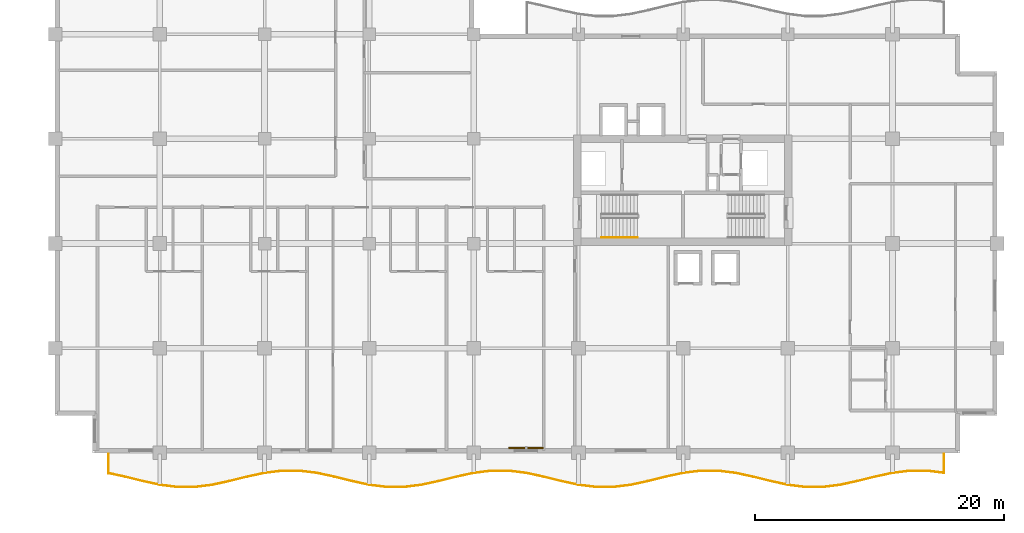
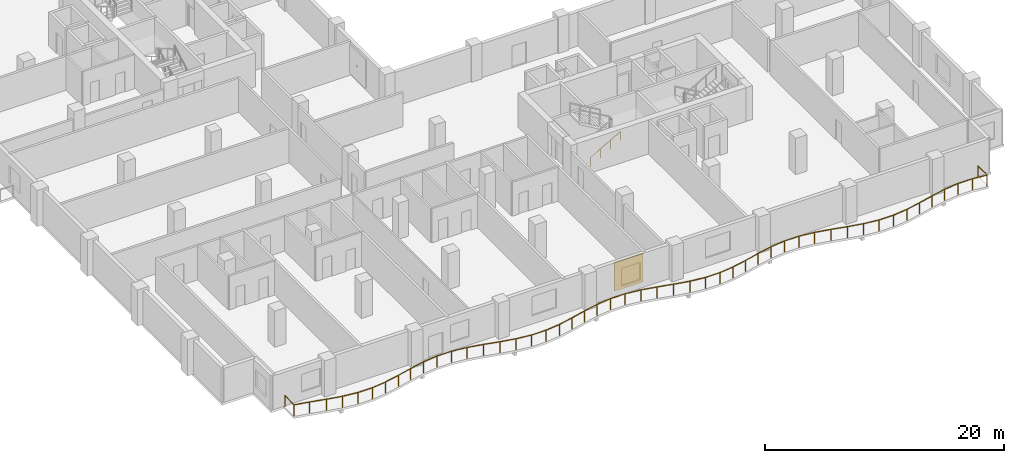
# One storey, part 11 of 14: 2 railings, 1 shading device.
"""IFC4 building model written with IfcOpenShell, lengths in metres."""

from ifc_helpers import new_model, si_unit, direction, frame, origin, origin_2d, place, context, subcontext, project, spatial, rectangle, circle, extrude, material, layer, layer_set, type_object, element, save


model = new_model("IFC4")

# Units and contexts
model_context = context("Model", 3, precision=1e-05, world=origin(), true_north=direction((0.0, 1.0)))
body_context = subcontext(model_context, "Body", "Model", "MODEL_VIEW")
ifc_project = project(units=[si_unit("LENGTHUNIT", "METRE"), si_unit("AREAUNIT", "SQUARE_METRE"), si_unit("VOLUMEUNIT", "CUBIC_METRE"), si_unit("PLANEANGLEUNIT", "RADIAN"), si_unit("MASSUNIT", "GRAM", prefix="KILO")], contexts=[model_context])

# Site, building, storey
site_placement = place(None, origin())
site = spatial("IfcSite", under=ifc_project, at=site_placement, CompositionType="ELEMENT")
building_placement = place(site_placement, origin())
building = spatial("IfcBuilding", under=site, at=building_placement, Name="Koriwani Terraces Tower", CompositionType="ELEMENT")
storey_placement = place(building_placement, frame((0.0, 0.0, 201.300048828125)))
storey = spatial("IfcBuildingStorey", under=building, at=storey_placement, Name="L49", CompositionType="ELEMENT", Elevation=201.300048828125)

# Railings
ifc_material_1 = material(Name="Steel ASTM A572 Grade 50", Category="steel")
railing_type_1 = type_object("IfcRailingType", Name="GUARD_BALUSTRADE_1150", PredefinedType="BALUSTRADE", material=ifc_material_1)
railing_1_placement = place(storey_placement, frame((4.280029296875, -0.080078125, 0.0)))
element("IfcRailing", 1, at=railing_1_placement, inside=storey, type_object=railing_type_1, Name="L49 Balcony Perimeter Safety Balustrade (S)", PredefinedType="BALUSTRADE", context=body_context, shape_type="SweptSolid", body=[
    extrude(circle(Radius=0.02392578125, at=origin_2d()), frame((0.0, 0.0, 1.1259765625), z_axis=(0.0, -1.0, 0.0), x_axis=(1.0, 0.0, 0.0)), (0.0, 0.0, 1.0), 1.552978515625),
    extrude(circle(Radius=0.02392578125, at=origin_2d()), frame((0.0, -1.552978515625, 1.1259765625), z_axis=(0.977417151998, -0.211318979222, 0.0), x_axis=(0.211318979222, 0.977417151998, 0.0)), (0.0, 0.0, 1.0), 1.369140625),
    extrude(circle(Radius=0.02392578125, at=origin_2d()), frame((1.338134765625, -1.84228515625, 1.1259765625), z_axis=(0.970241952903, -0.242137466795, 0.0), x_axis=(0.242137466795, 0.970241952903, 0.0)), (0.0, 0.0, 1.0), 1.44287109375),
    extrude(circle(Radius=0.02392578125, at=origin_2d()), frame((2.738037109375, -2.191650390625, 1.1259765625), z_axis=(0.977402706702, -0.211385782237, 0.0), x_axis=(0.211385782237, 0.977402706702, 0.0)), (0.0, 0.0, 1.0), 1.427490234375),
    extrude(circle(Radius=0.02392578125, at=origin_2d()), frame((4.13330078125, -2.493408203125, 1.1259765625), z_axis=(0.992309982997, -0.123777613669, 0.0), x_axis=(0.123777613669, 0.992309982997, 0.0)), (0.0, 0.0, 1.0), 1.40234375),
    extrude(circle(Radius=0.02392578125, at=origin_2d()), frame((5.52490234375, -2.6669921875, 1.1259765625), z_axis=(1.0, 0.0, 0.0), x_axis=(0.0, 1.0, 0.0)), (0.0, 0.0, 1.0), 1.39013671875),
    extrude(circle(Radius=0.02392578125, at=origin_2d()), frame((6.9150390625, -2.6669921875, 1.1259765625), z_axis=(0.992309982997, 0.123777613669, 0.0), x_axis=(-0.123777613669, 0.992309982997, 0.0)), (0.0, 0.0, 1.0), 1.40234375),
    extrude(circle(Radius=0.02392578125, at=origin_2d()), frame((8.306640625, -2.493408203125, 1.1259765625), z_axis=(0.977402706702, 0.211385782237, 0.0), x_axis=(-0.211385782237, 0.977402706702, 0.0)), (0.0, 0.0, 1.0), 1.427490234375),
    extrude(circle(Radius=0.02392578125, at=origin_2d()), frame((9.701904296875, -2.191650390625, 1.1259765625), z_axis=(0.970241952903, 0.242137466795, 0.0), x_axis=(-0.242137466795, 0.970241952903, 0.0)), (0.0, 0.0, 1.0), 1.44287109375),
    extrude(circle(Radius=0.02392578125, at=origin_2d()), frame((11.101806640625, -1.84228515625, 1.1259765625), z_axis=(0.977453031353, 0.21115295759, 0.0), x_axis=(-0.21115295759, 0.977453031353, 0.0)), (0.0, 0.0, 1.0), 1.437255859375),
    extrude(circle(Radius=0.02392578125, at=origin_2d()), frame((12.506591796875, -1.538818359375, 1.1259765625), z_axis=(0.992322798546, 0.123674829633, 0.0), x_axis=(-0.123674829633, 0.992322798546, 0.0)), (0.0, 0.0, 1.0), 1.41943359375),
    extrude(circle(Radius=0.02392578125, at=origin_2d()), frame((13.9150390625, -1.36328125, 1.1259765625), z_axis=(1.0, 0.0, 0.0), x_axis=(0.0, 1.0, 0.0)), (0.0, 0.0, 1.0), 1.409912109375),
    extrude(circle(Radius=0.02392578125, at=origin_2d()), frame((15.324951171875, -1.36328125, 1.1259765625), z_axis=(0.992322798546, -0.123674829633, 0.0), x_axis=(0.123674829633, 0.992322798546, 0.0)), (0.0, 0.0, 1.0), 1.41943359375),
    extrude(circle(Radius=0.02392578125, at=origin_2d()), frame((16.7333984375, -1.538818359375, 1.1259765625), z_axis=(0.977453031353, -0.21115295759, 0.0), x_axis=(0.21115295759, 0.977453031353, 0.0)), (0.0, 0.0, 1.0), 1.437255859375),
    extrude(circle(Radius=0.02392578125, at=origin_2d()), frame((18.13818359375, -1.84228515625, 1.1259765625), z_axis=(0.970241952903, -0.242137466795, 0.0), x_axis=(0.242137466795, 0.970241952903, 0.0)), (0.0, 0.0, 1.0), 1.44287109375),
    extrude(circle(Radius=0.02392578125, at=origin_2d()), frame((19.5380859375, -2.191650390625, 1.1259765625), z_axis=(0.977402706702, -0.211385782237, 0.0), x_axis=(0.211385782237, 0.977402706702, 0.0)), (0.0, 0.0, 1.0), 1.427490234375),
    extrude(circle(Radius=0.02392578125, at=origin_2d()), frame((20.933349609375, -2.493408203125, 1.1259765625), z_axis=(0.992309982997, -0.123777613669, 0.0), x_axis=(0.123777613669, 0.992309982997, 0.0)), (0.0, 0.0, 1.0), 1.40234375),
    extrude(circle(Radius=0.02392578125, at=origin_2d()), frame((22.324951171875, -2.6669921875, 1.1259765625), z_axis=(1.0, 0.0, 0.0), x_axis=(0.0, 1.0, 0.0)), (0.0, 0.0, 1.0), 1.39013671875),
    extrude(circle(Radius=0.02392578125, at=origin_2d()), frame((23.715087890625, -2.6669921875, 1.1259765625), z_axis=(0.992309982997, 0.123777613669, 0.0), x_axis=(-0.123777613669, 0.992309982997, 0.0)), (0.0, 0.0, 1.0), 1.40234375),
    extrude(circle(Radius=0.02392578125, at=origin_2d()), frame((25.106689453125, -2.493408203125, 1.1259765625), z_axis=(0.977402706702, 0.211385782237, 0.0), x_axis=(-0.211385782237, 0.977402706702, 0.0)), (0.0, 0.0, 1.0), 1.427490234375),
    extrude(circle(Radius=0.02392578125, at=origin_2d()), frame((26.501953125, -2.191650390625, 1.1259765625), z_axis=(0.970241952903, 0.242137466795, 0.0), x_axis=(-0.242137466795, 0.970241952903, 0.0)), (0.0, 0.0, 1.0), 1.44287109375),
    extrude(circle(Radius=0.02392578125, at=origin_2d()), frame((27.90185546875, -1.84228515625, 1.1259765625), z_axis=(0.977453031353, 0.21115295759, 0.0), x_axis=(-0.21115295759, 0.977453031353, 0.0)), (0.0, 0.0, 1.0), 1.437255859375),
    extrude(circle(Radius=0.02392578125, at=origin_2d()), frame((29.306640625, -1.538818359375, 1.1259765625), z_axis=(0.992322798546, 0.123674829633, 0.0), x_axis=(-0.123674829633, 0.992322798546, 0.0)), (0.0, 0.0, 1.0), 1.41943359375),
    extrude(circle(Radius=0.02392578125, at=origin_2d()), frame((30.715087890625, -1.36328125, 1.1259765625), z_axis=(1.0, 0.0, 0.0), x_axis=(0.0, 1.0, 0.0)), (0.0, 0.0, 1.0), 1.409912109375),
    extrude(circle(Radius=0.02392578125, at=origin_2d()), frame((32.125, -1.36328125, 1.1259765625), z_axis=(0.992322798546, -0.123674829633, 0.0), x_axis=(0.123674829633, 0.992322798546, 0.0)), (0.0, 0.0, 1.0), 1.41943359375),
    extrude(circle(Radius=0.02392578125, at=origin_2d()), frame((33.533447265625, -1.538818359375, 1.1259765625), z_axis=(0.977445455552, -0.211188023857, 0.0), x_axis=(0.211188023857, 0.977445455552, 0.0)), (0.0, 0.0, 1.0), 1.43701171875),
    extrude(circle(Radius=0.02392578125, at=origin_2d()), frame((34.93798828125, -1.84228515625, 1.1259765625), z_axis=(0.970251871253, -0.242097720621, 0.0), x_axis=(0.242097720621, 0.970251871253, 0.0)), (0.0, 0.0, 1.0), 1.443115234375),
    extrude(circle(Radius=0.02392578125, at=origin_2d()), frame((36.338134765625, -2.191650390625, 1.1259765625), z_axis=(0.977402706702, -0.211385782237, 0.0), x_axis=(0.211385782237, 0.977402706702, 0.0)), (0.0, 0.0, 1.0), 1.427490234375),
    extrude(circle(Radius=0.02392578125, at=origin_2d()), frame((37.7333984375, -2.493408203125, 1.1259765625), z_axis=(0.992309982997, -0.123777613669, 0.0), x_axis=(0.123777613669, 0.992309982997, 0.0)), (0.0, 0.0, 1.0), 1.40234375),
    extrude(circle(Radius=0.02392578125, at=origin_2d()), frame((39.125, -2.6669921875, 1.1259765625), z_axis=(1.0, 0.0, 0.0), x_axis=(0.0, 1.0, 0.0)), (0.0, 0.0, 1.0), 1.389892578125),
    extrude(circle(Radius=0.02392578125, at=origin_2d()), frame((40.514892578125, -2.6669921875, 1.1259765625), z_axis=(0.992309982997, 0.123777613669, 0.0), x_axis=(-0.123777613669, 0.992309982997, 0.0)), (0.0, 0.0, 1.0), 1.40234375),
    extrude(circle(Radius=0.02392578125, at=origin_2d()), frame((41.906494140625, -2.493408203125, 1.1259765625), z_axis=(0.977402706702, 0.211385782237, 0.0), x_axis=(-0.211385782237, 0.977402706702, 0.0)), (0.0, 0.0, 1.0), 1.427490234375),
    extrude(circle(Radius=0.02392578125, at=origin_2d()), frame((43.3017578125, -2.191650390625, 1.1259765625), z_axis=(0.970251871253, 0.242097720621, 0.0), x_axis=(-0.242097720621, 0.970251871253, 0.0)), (0.0, 0.0, 1.0), 1.443115234375),
    extrude(circle(Radius=0.02392578125, at=origin_2d()), frame((44.701904296875, -1.84228515625, 1.1259765625), z_axis=(0.977453031353, 0.21115295759, 0.0), x_axis=(-0.21115295759, 0.977453031353, 0.0)), (0.0, 0.0, 1.0), 1.437255859375),
    extrude(circle(Radius=0.02392578125, at=origin_2d()), frame((46.106689453125, -1.538818359375, 1.1259765625), z_axis=(0.992320166908, 0.123695943136, 0.0), x_axis=(-0.123695943136, 0.992320166908, 0.0)), (0.0, 0.0, 1.0), 1.419189453125),
    extrude(circle(Radius=0.02392578125, at=origin_2d()), frame((47.514892578125, -1.36328125, 1.1259765625), z_axis=(1.0, 0.0, 0.0), x_axis=(0.0, 1.0, 0.0)), (0.0, 0.0, 1.0), 1.41015625),
    extrude(circle(Radius=0.02392578125, at=origin_2d()), frame((48.925048828125, -1.36328125, 1.1259765625), z_axis=(0.992320166908, -0.123695943136, 0.0), x_axis=(0.123695943136, 0.992320166908, 0.0)), (0.0, 0.0, 1.0), 1.419189453125),
    extrude(circle(Radius=0.02392578125, at=origin_2d()), frame((50.333251953125, -1.538818359375, 1.1259765625), z_axis=(0.977453031353, -0.21115295759, 0.0), x_axis=(0.21115295759, 0.977453031353, 0.0)), (0.0, 0.0, 1.0), 1.437255859375),
    extrude(circle(Radius=0.02392578125, at=origin_2d()), frame((51.738037109375, -1.84228515625, 1.1259765625), z_axis=(0.970251871253, -0.242097720621, 0.0), x_axis=(0.242097720621, 0.970251871253, 0.0)), (0.0, 0.0, 1.0), 1.443115234375),
    extrude(circle(Radius=0.02392578125, at=origin_2d()), frame((53.13818359375, -2.191650390625, 1.1259765625), z_axis=(0.977402706702, -0.211385782237, 0.0), x_axis=(0.211385782237, 0.977402706702, 0.0)), (0.0, 0.0, 1.0), 1.427490234375),
    extrude(circle(Radius=0.02392578125, at=origin_2d()), frame((54.533447265625, -2.493408203125, 1.1259765625), z_axis=(0.992309982997, -0.123777613669, 0.0), x_axis=(0.123777613669, 0.992309982997, 0.0)), (0.0, 0.0, 1.0), 1.40234375),
    extrude(circle(Radius=0.02392578125, at=origin_2d()), frame((55.925048828125, -2.6669921875, 1.1259765625), z_axis=(1.0, 0.0, 0.0), x_axis=(0.0, 1.0, 0.0)), (0.0, 0.0, 1.0), 1.389892578125),
    extrude(circle(Radius=0.02392578125, at=origin_2d()), frame((57.31494140625, -2.6669921875, 1.1259765625), z_axis=(0.992309982997, 0.123777613669, 0.0), x_axis=(-0.123777613669, 0.992309982997, 0.0)), (0.0, 0.0, 1.0), 1.40234375),
    extrude(circle(Radius=0.02392578125, at=origin_2d()), frame((58.70654296875, -2.493408203125, 1.1259765625), z_axis=(0.977402706702, 0.211385782237, 0.0), x_axis=(-0.211385782237, 0.977402706702, 0.0)), (0.0, 0.0, 1.0), 1.427490234375),
    extrude(circle(Radius=0.02392578125, at=origin_2d()), frame((60.101806640625, -2.191650390625, 1.1259765625), z_axis=(0.970251871253, 0.242097720621, 0.0), x_axis=(-0.242097720621, 0.970251871253, 0.0)), (0.0, 0.0, 1.0), 1.443115234375),
    extrude(circle(Radius=0.02392578125, at=origin_2d()), frame((61.501953125, -1.84228515625, 1.1259765625), z_axis=(0.977445455552, 0.211188023857, 0.0), x_axis=(-0.211188023857, 0.977445455552, 0.0)), (0.0, 0.0, 1.0), 1.43701171875),
    extrude(circle(Radius=0.02392578125, at=origin_2d()), frame((62.906494140625, -1.538818359375, 1.1259765625), z_axis=(0.992322798546, 0.123674829633, 0.0), x_axis=(-0.123674829633, 0.992322798546, 0.0)), (0.0, 0.0, 1.0), 1.41943359375),
    extrude(circle(Radius=0.02392578125, at=origin_2d()), frame((64.31494140625, -1.36328125, 1.1259765625), z_axis=(1.0, 0.0, 0.0), x_axis=(0.0, 1.0, 0.0)), (0.0, 0.0, 1.0), 1.409912109375),
    extrude(circle(Radius=0.02392578125, at=origin_2d()), frame((65.724853515625, -1.36328125, 1.1259765625), z_axis=(0.992331628798, -0.123603958219, 0.0), x_axis=(0.123603958219, 0.992331628798, 0.0)), (0.0, 0.0, 1.0), 1.325439453125),
    extrude(circle(Radius=0.02392578125, at=origin_2d()), frame((67.0400390625, -1.527099609375, 1.1259765625), z_axis=(0.0, 1.0, 0.0), x_axis=(-1.0, 0.0, 0.0)), (0.0, 0.0, 1.0), 1.527099609375),
    extrude(circle(Radius=0.02099609375, at=origin_2d()), origin(), (0.0, 0.0, 1.0), 1.101806640625),
    extrude(circle(Radius=0.02099609375, at=origin_2d()), frame((0.0, -1.552978515625, 0.0)), (0.0, 0.0, 1.0), 1.101806640625),
    extrude(circle(Radius=0.02099609375, at=origin_2d()), frame((1.338134765625, -1.84228515625, 0.0)), (0.0, 0.0, 1.0), 1.101806640625),
    extrude(circle(Radius=0.02099609375, at=origin_2d()), frame((2.738037109375, -2.191650390625, 0.0)), (0.0, 0.0, 1.0), 1.101806640625),
    extrude(circle(Radius=0.02099609375, at=origin_2d()), frame((4.13330078125, -2.493408203125, 0.0)), (0.0, 0.0, 1.0), 1.101806640625),
    extrude(circle(Radius=0.02099609375, at=origin_2d()), frame((5.52490234375, -2.6669921875, 0.0)), (0.0, 0.0, 1.0), 1.101806640625),
    extrude(circle(Radius=0.02099609375, at=origin_2d()), frame((6.9150390625, -2.6669921875, 0.0)), (0.0, 0.0, 1.0), 1.101806640625),
    extrude(circle(Radius=0.02099609375, at=origin_2d()), frame((8.306640625, -2.493408203125, 0.0)), (0.0, 0.0, 1.0), 1.101806640625),
    extrude(circle(Radius=0.02099609375, at=origin_2d()), frame((9.701904296875, -2.191650390625, 0.0)), (0.0, 0.0, 1.0), 1.101806640625),
    extrude(circle(Radius=0.02099609375, at=origin_2d()), frame((11.101806640625, -1.84228515625, 0.0)), (0.0, 0.0, 1.0), 1.101806640625),
    extrude(circle(Radius=0.02099609375, at=origin_2d()), frame((12.506591796875, -1.538818359375, 0.0)), (0.0, 0.0, 1.0), 1.101806640625),
    extrude(circle(Radius=0.02099609375, at=origin_2d()), frame((13.9150390625, -1.36328125, 0.0)), (0.0, 0.0, 1.0), 1.101806640625),
    extrude(circle(Radius=0.02099609375, at=origin_2d()), frame((15.324951171875, -1.36328125, 0.0)), (0.0, 0.0, 1.0), 1.101806640625),
    extrude(circle(Radius=0.02099609375, at=origin_2d()), frame((16.7333984375, -1.538818359375, 0.0)), (0.0, 0.0, 1.0), 1.101806640625),
    extrude(circle(Radius=0.02099609375, at=origin_2d()), frame((18.13818359375, -1.84228515625, 0.0)), (0.0, 0.0, 1.0), 1.101806640625),
    extrude(circle(Radius=0.02099609375, at=origin_2d()), frame((19.5380859375, -2.191650390625, 0.0)), (0.0, 0.0, 1.0), 1.101806640625),
    extrude(circle(Radius=0.02099609375, at=origin_2d()), frame((20.933349609375, -2.493408203125, 0.0)), (0.0, 0.0, 1.0), 1.101806640625),
    extrude(circle(Radius=0.02099609375, at=origin_2d()), frame((22.324951171875, -2.6669921875, 0.0)), (0.0, 0.0, 1.0), 1.101806640625),
    extrude(circle(Radius=0.02099609375, at=origin_2d()), frame((23.715087890625, -2.6669921875, 0.0)), (0.0, 0.0, 1.0), 1.101806640625),
    extrude(circle(Radius=0.02099609375, at=origin_2d()), frame((25.106689453125, -2.493408203125, 0.0)), (0.0, 0.0, 1.0), 1.101806640625),
    extrude(circle(Radius=0.02099609375, at=origin_2d()), frame((26.501953125, -2.191650390625, 0.0)), (0.0, 0.0, 1.0), 1.101806640625),
    extrude(circle(Radius=0.02099609375, at=origin_2d()), frame((27.90185546875, -1.84228515625, 0.0)), (0.0, 0.0, 1.0), 1.101806640625),
    extrude(circle(Radius=0.02099609375, at=origin_2d()), frame((29.306640625, -1.538818359375, 0.0)), (0.0, 0.0, 1.0), 1.101806640625),
    extrude(circle(Radius=0.02099609375, at=origin_2d()), frame((30.715087890625, -1.36328125, 0.0)), (0.0, 0.0, 1.0), 1.101806640625),
    extrude(circle(Radius=0.02099609375, at=origin_2d()), frame((32.125, -1.36328125, 0.0)), (0.0, 0.0, 1.0), 1.101806640625),
    extrude(circle(Radius=0.02099609375, at=origin_2d()), frame((33.533447265625, -1.538818359375, 0.0)), (0.0, 0.0, 1.0), 1.101806640625),
    extrude(circle(Radius=0.02099609375, at=origin_2d()), frame((34.93798828125, -1.84228515625, 0.0)), (0.0, 0.0, 1.0), 1.101806640625),
    extrude(circle(Radius=0.02099609375, at=origin_2d()), frame((36.338134765625, -2.191650390625, 0.0)), (0.0, 0.0, 1.0), 1.101806640625),
    extrude(circle(Radius=0.02099609375, at=origin_2d()), frame((37.7333984375, -2.493408203125, 0.0)), (0.0, 0.0, 1.0), 1.101806640625),
    extrude(circle(Radius=0.02099609375, at=origin_2d()), frame((39.125, -2.6669921875, 0.0)), (0.0, 0.0, 1.0), 1.101806640625),
    extrude(circle(Radius=0.02099609375, at=origin_2d()), frame((40.514892578125, -2.6669921875, 0.0)), (0.0, 0.0, 1.0), 1.101806640625),
    extrude(circle(Radius=0.02099609375, at=origin_2d()), frame((41.906494140625, -2.493408203125, 0.0)), (0.0, 0.0, 1.0), 1.101806640625),
    extrude(circle(Radius=0.02099609375, at=origin_2d()), frame((43.3017578125, -2.191650390625, 0.0)), (0.0, 0.0, 1.0), 1.101806640625),
    extrude(circle(Radius=0.02099609375, at=origin_2d()), frame((44.701904296875, -1.84228515625, 0.0)), (0.0, 0.0, 1.0), 1.101806640625),
    extrude(circle(Radius=0.02099609375, at=origin_2d()), frame((46.106689453125, -1.538818359375, 0.0)), (0.0, 0.0, 1.0), 1.101806640625),
    extrude(circle(Radius=0.02099609375, at=origin_2d()), frame((47.514892578125, -1.36328125, 0.0)), (0.0, 0.0, 1.0), 1.101806640625),
    extrude(circle(Radius=0.02099609375, at=origin_2d()), frame((48.925048828125, -1.36328125, 0.0)), (0.0, 0.0, 1.0), 1.101806640625),
    extrude(circle(Radius=0.02099609375, at=origin_2d()), frame((50.333251953125, -1.538818359375, 0.0)), (0.0, 0.0, 1.0), 1.101806640625),
    extrude(circle(Radius=0.02099609375, at=origin_2d()), frame((51.738037109375, -1.84228515625, 0.0)), (0.0, 0.0, 1.0), 1.101806640625),
    extrude(circle(Radius=0.02099609375, at=origin_2d()), frame((53.13818359375, -2.191650390625, 0.0)), (0.0, 0.0, 1.0), 1.101806640625),
    extrude(circle(Radius=0.02099609375, at=origin_2d()), frame((54.533447265625, -2.493408203125, 0.0)), (0.0, 0.0, 1.0), 1.101806640625),
    extrude(circle(Radius=0.02099609375, at=origin_2d()), frame((55.925048828125, -2.6669921875, 0.0)), (0.0, 0.0, 1.0), 1.101806640625),
    extrude(circle(Radius=0.02099609375, at=origin_2d()), frame((57.31494140625, -2.6669921875, 0.0)), (0.0, 0.0, 1.0), 1.101806640625),
    extrude(circle(Radius=0.02099609375, at=origin_2d()), frame((58.70654296875, -2.493408203125, 0.0)), (0.0, 0.0, 1.0), 1.101806640625),
    extrude(circle(Radius=0.02099609375, at=origin_2d()), frame((60.101806640625, -2.191650390625, 0.0)), (0.0, 0.0, 1.0), 1.101806640625),
    extrude(circle(Radius=0.02099609375, at=origin_2d()), frame((61.501953125, -1.84228515625, 0.0)), (0.0, 0.0, 1.0), 1.101806640625),
    extrude(circle(Radius=0.02099609375, at=origin_2d()), frame((62.906494140625, -1.538818359375, 0.0)), (0.0, 0.0, 1.0), 1.101806640625),
    extrude(circle(Radius=0.02099609375, at=origin_2d()), frame((64.31494140625, -1.36328125, 0.0)), (0.0, 0.0, 1.0), 1.101806640625),
    extrude(circle(Radius=0.02099609375, at=origin_2d()), frame((65.724853515625, -1.36328125, 0.0)), (0.0, 0.0, 1.0), 1.101806640625),
    extrude(circle(Radius=0.02099609375, at=origin_2d()), frame((67.0400390625, -1.527099609375, 0.0)), (0.0, 0.0, 1.0), 1.101806640625),
    extrude(circle(Radius=0.02099609375, at=origin_2d()), frame((67.0400390625, 0.0, 0.0)), (0.0, 0.0, 1.0), 1.101806640625),
])
railing_type_2 = type_object("IfcRailingType", Name="HANDRAIL_STAIR_920", PredefinedType="HANDRAIL", material=ifc_material_1)
railing_2_placement = place(storey_placement, frame((43.85009765625, 17.300048828125, 0.168212890625)))
element("IfcRailing", 2, at=railing_2_placement, inside=storey, type_object=railing_type_2, Name="L49 ST-E1 stair handrail 1", PredefinedType="HANDRAIL", context=body_context, shape_type="SweptSolid", body=[
    extrude(circle(Radius=0.02392578125, at=origin_2d()), frame((0.0, 0.0, 0.8759765625), z_axis=(0.86507038078, 0.0, 0.501650512107), x_axis=(0.0, 1.0, 0.0)), (0.0, 0.0, 1.0), 3.352294921875),
    extrude(circle(Radius=0.02099609375, at=origin_2d()), origin(), (0.0, 0.0, 1.0), 0.851806640625),
    extrude(circle(Radius=0.02099609375, at=origin_2d()), frame((0.966552734375, 0.0, 0.560546875)), (0.0, 0.0, 1.0), 0.851806640625),
    extrude(circle(Radius=0.02099609375, at=origin_2d()), frame((1.933349609375, 0.0, 1.12109375)), (0.0, 0.0, 1.0), 0.851806640625),
    extrude(circle(Radius=0.02099609375, at=origin_2d()), frame((2.89990234375, 0.0, 1.681640625)), (0.0, 0.0, 1.0), 0.851806640625),
])

# Shading device
ifc_material_2 = material(Name="Extruded Terracotta Clay", Category="masonry")
ifc_layer = layer(ifc_material_2, 0.1201171875, Name="Extruded Terracotta Clay")
ifc_layer_set = layer_set([ifc_layer], Name="Extruded Terracotta Clay")
shading_device_type = type_object("IfcShadingDeviceType", Name="TERRACOTTA_BAGUETTE_SCREEN_2800", PredefinedType="USERDEFINED", material=ifc_layer_set)
shading_device_placement = place(storey_placement, frame((37.800048828125, 0.405029296875, 0.284912109375), z_axis=(0.0, 0.0, 1.0), x_axis=(-1.0, 0.0, 0.0)))
element("IfcShadingDevice", 3, at=shading_device_placement, inside=storey, type_object=shading_device_type, Name="L49 Extruded Terracotta Baguette Screen (S-12)", ObjectType="BAGUETTE", PredefinedType="USERDEFINED", context=body_context, shape_type="SweptSolid", body=[
    extrude(rectangle(XDim=2.760009765625, YDim=0.1201171875, at=origin_2d()), origin(), (0.0, 0.0, 1.0), 2.89990234375),
])

save(model, "model.ifc")
